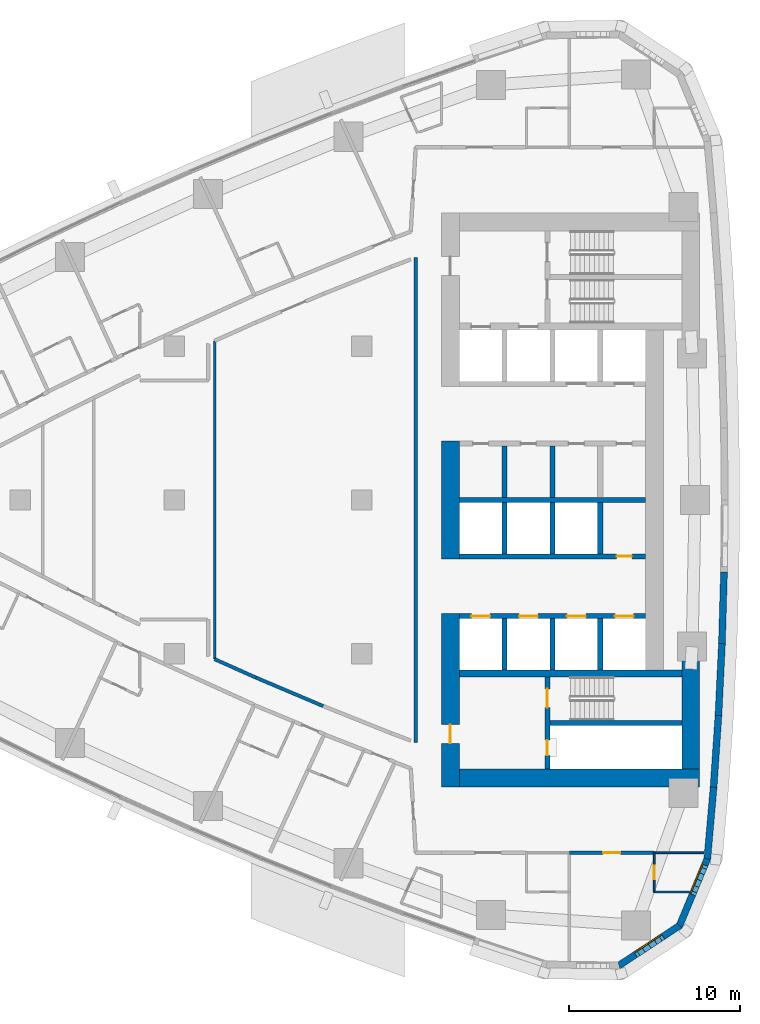
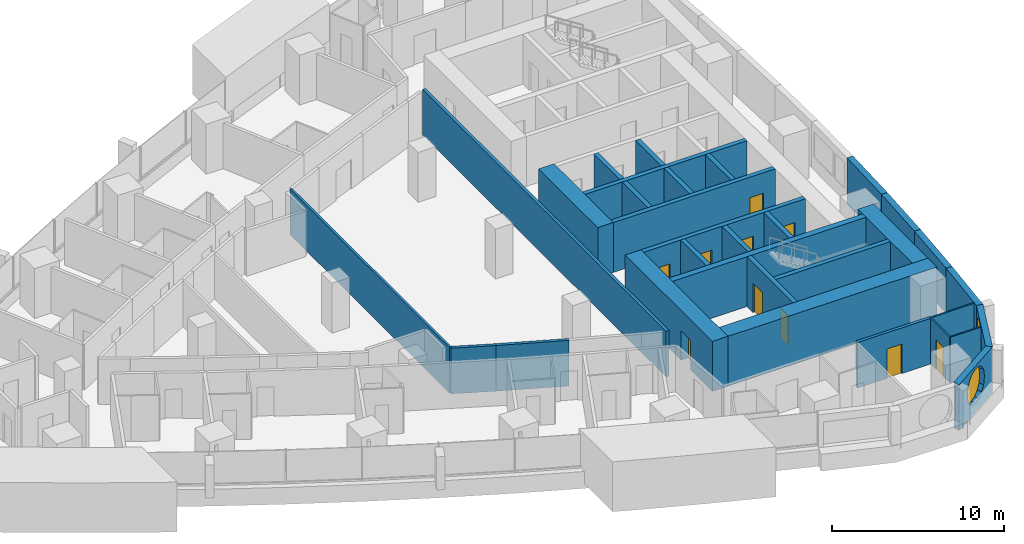
# One storey, part 10 of 17: 32 walls, 10 doors, 2 windows, 12 openings.
"""IFC4 building model written with IfcOpenShell, lengths in metres."""

from ifc_helpers import new_model, si_unit, direction, frame, frame_2d, origin, place, context, subcontext, project, spatial, polyline, rectangle, outline, extrude, material, layer, layer_set, type_object, element, fill, save


model = new_model("IFC4")

# Units and contexts
model_context = context("Model", 3, precision=1e-05, world=origin(), true_north=direction((0.0, 1.0)))
body_context = subcontext(model_context, "Body", "Model", "MODEL_VIEW")
ifc_project = project(units=[si_unit("LENGTHUNIT", "METRE"), si_unit("AREAUNIT", "SQUARE_METRE"), si_unit("VOLUMEUNIT", "CUBIC_METRE"), si_unit("PLANEANGLEUNIT", "RADIAN"), si_unit("MASSUNIT", "GRAM", prefix="KILO")], contexts=[model_context])

# Site, building, storey
site_placement = place(None, origin())
site = spatial("IfcSite", under=ifc_project, at=site_placement, CompositionType="ELEMENT")
building_placement = place(site_placement, origin())
building = spatial("IfcBuilding", under=site, at=building_placement, Name="Ostrand Prow Hotel Tower", CompositionType="ELEMENT")
storey_placement = place(building_placement, frame((0.0, 0.0, 113.300048828125)))
storey = spatial("IfcBuildingStorey", under=building, at=storey_placement, Name="L27", CompositionType="ELEMENT", Elevation=113.300048828125)

# Wall
ifc_material_1 = material(Name="Concrete C80/95", Category="concrete")
ifc_layer_1 = layer(ifc_material_1, 1.050048828125)
ifc_layer_set_1 = layer_set([ifc_layer_1], Name="Concrete C80/95")
wall_type_1 = type_object("IfcWallType", Name="Core wall 1050 C80/95", PredefinedType="SHEAR", material=ifc_layer_set_1)
wall_1_placement = place(storey_placement, frame((50.175048828125, -3.449951171875, 0.0), z_axis=(0.0, 0.0, 1.0), x_axis=(0.0, 1.0, 0.0)))
element("IfcWall", 1, at=wall_1_placement, inside=storey, type_object=wall_type_1, Name="Core wall CW-W-C", PredefinedType="SHEAR", context=body_context, shape_type="SweptSolid", body=[
    extrude(rectangle(XDim=6.89990234375, YDim=1.050048828125, at=frame_2d((3.449951171875, 0.0))), origin(), (0.0, 0.0, 1.0), 3.550048828125),
])

# Wall, opening, door
wall_2_placement = place(storey_placement, frame((50.175048828125, -16.800048828125, 0.0), z_axis=(0.0, 0.0, 1.0), x_axis=(0.0, 1.0, 0.0)))
wall_2 = element("IfcWall", 2, at=wall_2_placement, inside=storey, type_object=wall_type_1, Name="Core wall CW-W-S", PredefinedType="SHEAR", context=body_context, shape_type="SweptSolid", body=[
    extrude(rectangle(XDim=10.150146484375, YDim=1.050048828125, at=frame_2d((5.0751953125, 0.0))), origin(), (0.0, 0.0, 1.0), 3.550048828125),
])
opening_1_placement = place(wall_2_placement, frame((2.550048828125, 0.0, 0.0)))
opening_1 = element("IfcOpeningElement", 3, at=opening_1_placement, cuts=wall_2, Name="Opening FD1", PredefinedType="OPENING", context=body_context, shape_type="SweptSolid", body=[
    extrude(rectangle(XDim=1.10009765625, YDim=2.10009765625, at=frame_2d((0.550048828125, 1.050048828125))), frame((0.0, 0.534912109375, 0.0), z_axis=(0.0, -1.0, 0.0), x_axis=(1.0, 0.0, 0.0)), (0.0, 0.0, 1.0), 1.070068359375),
])
ifc_material_2 = material(Name="Steel fire door", Category="steel")
door_type_1 = type_object("IfcDoorType", Name="Fire door 1100 EI120", OperationType="SINGLE_SWING_RIGHT", PredefinedType="DOOR", material=ifc_material_2)
door_1_placement = place(opening_1_placement, origin())
door_1 = element("IfcDoor", 4, at=door_1_placement, inside=storey, type_object=door_type_1, Name="FIRE DOOR", OperationType="SINGLE_SWING_RIGHT", OverallHeight=2.10009765625, OverallWidth=1.10009765625, PredefinedType="DOOR", context=body_context, shape_type="SweptSolid", body=[
    extrude(rectangle(XDim=1.10009765625, YDim=2.10009765625, at=frame_2d((0.550048828125, 1.050048828125))), frame((0.0, 0.02490234375, 0.0), z_axis=(0.0, -1.0, 0.0), x_axis=(1.0, 0.0, 0.0)), (0.0, 0.0, 1.0), 0.050048828125),
])
fill(opening_1, door_1)

# Walls
wall_3_placement = place(storey_placement, frame((50.699951171875, -16.27490234375, 0.0), z_axis=(0.0, 0.0, 1.0), x_axis=(1.0, 0.0, 0.0)))
element("IfcWall", 5, at=wall_3_placement, inside=storey, type_object=wall_type_1, Name="Core wall CW-S", PredefinedType="SHEAR", context=body_context, shape_type="SweptSolid", body=[
    extrude(rectangle(XDim=14.070068359375, YDim=1.050048828125, at=frame_2d((7.03515625, 0.0))), origin(), (0.0, 0.0, 1.0), 3.550048828125),
])
wall_4_placement = place(storey_placement, frame((64.2451171875, -15.75, 0.0), z_axis=(0.0, 0.0, 1.0), x_axis=(0.0, 1.0, 0.0)))
element("IfcWall", 6, at=wall_4_placement, inside=storey, type_object=wall_type_1, Name="Core wall CW-E-S", PredefinedType="SHEAR", context=body_context, shape_type="SweptSolid", body=[
    extrude(rectangle(XDim=6.361328125, YDim=1.050048828125, at=frame_2d((3.1806640625, 0.0))), origin(), (0.0, 0.0, 1.0), 3.550048828125),
])
ifc_material_3 = material(Name="Concrete C80/95", Category="concrete")
ifc_layer_2 = layer(ifc_material_3, 0.300048828125)
ifc_layer_set_2 = layer_set([ifc_layer_2], Name="Concrete C80/95")
wall_type_2 = type_object("IfcWallType", Name="Core wall 300 C80/95", PredefinedType="SHEAR", material=ifc_layer_set_2)
wall_5_placement = place(storey_placement, frame((50.699951171875, 0.0, 0.0), z_axis=(0.0, 0.0, 1.0), x_axis=(1.0, 0.0, 0.0)))
element("IfcWall", 7, at=wall_5_placement, inside=storey, type_object=wall_type_2, Name="Core wall PW-C", PredefinedType="SHEAR", context=body_context, shape_type="SweptSolid", body=[
    extrude(rectangle(XDim=10.900146484375, YDim=0.300048828125, at=frame_2d((5.4501953125, 0.0))), origin(), (0.0, 0.0, 1.0), 3.550048828125),
])
for number, where, z_axis, x_axis, name in (
    (8, (53.35009765625, 0.14990234375, 0.0), (0.0, 0.0, 1.0), (0.0, 1.0, 0.0), "Core wall PW-R1-NB"),
    (9, (56.14990234375, 0.14990234375, 0.0), (0.0, 0.0, 1.0), (0.0, 1.0, 0.0), "Core wall PW-R2-NB"),
):
    element("IfcWall", number, at=place(storey_placement, frame(where, z_axis=z_axis, x_axis=x_axis)), inside=storey, type_object=wall_type_2, Name=name, PredefinedType="SHEAR", context=body_context, shape_type="SweptSolid", body=[
        extrude(rectangle(XDim=3.0, YDim=0.300048828125, at=frame_2d((1.5, 0.0))), origin(), (0.0, 0.0, 1.0), 3.550048828125),
    ])

# Wall, opening, door
wall_6_placement = place(storey_placement, frame((50.699951171875, -3.300048828125, 0.0), z_axis=(0.0, 0.0, 1.0), x_axis=(1.0, 0.0, 0.0)))
wall_6 = element("IfcWall", 10, at=wall_6_placement, inside=storey, type_object=wall_type_2, Name="Core wall PW-L1-S", PredefinedType="SHEAR", context=body_context, shape_type="SweptSolid", body=[
    extrude(rectangle(XDim=10.900146484375, YDim=0.300048828125, at=frame_2d((5.4501953125, 0.0))), origin(), (0.0, 0.0, 1.0), 3.550048828125),
])
opening_2_placement = place(wall_6_placement, frame((9.199951171875, 0.0, 0.0)))
opening_2 = element("IfcOpeningElement", 11, at=opening_2_placement, cuts=wall_6, Name="Opening FD2", PredefinedType="OPENING", context=body_context, shape_type="SweptSolid", body=[
    extrude(rectangle(XDim=0.89990234375, YDim=2.10009765625, at=frame_2d((0.449951171875, 1.050048828125))), frame((0.0, 0.159912109375, 0.0), z_axis=(0.0, -1.0, 0.0), x_axis=(1.0, 0.0, 0.0)), (0.0, 0.0, 1.0), 0.320068359375),
])
ifc_material_4 = material(Name="Steel fire door", Category="steel")
door_type_2 = type_object("IfcDoorType", Name="Fire door 900 EI120", OperationType="SINGLE_SWING_LEFT", PredefinedType="DOOR", material=ifc_material_4)
door_2_placement = place(opening_2_placement, origin())
door_2 = element("IfcDoor", 12, at=door_2_placement, inside=storey, type_object=door_type_2, Name="DOOR", OperationType="SINGLE_SWING_LEFT", OverallHeight=2.10009765625, OverallWidth=0.89990234375, PredefinedType="DOOR", context=body_context, shape_type="SweptSolid", body=[
    extrude(rectangle(XDim=0.89990234375, YDim=2.10009765625, at=frame_2d((0.449951171875, 1.050048828125))), frame((0.0, 0.02490234375, 0.0), z_axis=(0.0, -1.0, 0.0), x_axis=(1.0, 0.0, 0.0)), (0.0, 0.0, 1.0), 0.050048828125),
])
fill(opening_2, door_2)

# Wall, openings, doors
wall_7_placement = place(storey_placement, frame((50.699951171875, -6.800048828125, 0.0), z_axis=(0.0, 0.0, 1.0), x_axis=(1.0, 0.0, 0.0)))
wall_7 = element("IfcWall", 13, at=wall_7_placement, inside=storey, type_object=wall_type_2, Name="Core wall PW-L2-S", PredefinedType="SHEAR", context=body_context, shape_type="SweptSolid", body=[
    extrude(rectangle(XDim=10.900146484375, YDim=0.300048828125, at=frame_2d((5.4501953125, 0.0))), origin(), (0.0, 0.0, 1.0), 3.550048828125),
])
opening_3_placement = place(wall_7_placement, frame((0.699951171875, 0.0, 0.0)))
opening_3 = element("IfcOpeningElement", 14, at=opening_3_placement, cuts=wall_7, Name="Opening LD", PredefinedType="OPENING", context=body_context, shape_type="SweptSolid", body=[
    extrude(rectangle(XDim=1.10009765625, YDim=2.10009765625, at=frame_2d((0.550048828125, 1.050048828125))), frame((0.0, 0.159912109375, 0.0), z_axis=(0.0, -1.0, 0.0), x_axis=(1.0, 0.0, 0.0)), (0.0, 0.0, 1.0), 0.320068359375),
])
opening_4_placement = place(wall_7_placement, frame((3.5, 0.0, 0.0)))
opening_4 = element("IfcOpeningElement", 15, at=opening_4_placement, cuts=wall_7, Name="Opening LD", PredefinedType="OPENING", context=body_context, shape_type="SweptSolid", body=[
    extrude(rectangle(XDim=1.10009765625, YDim=2.10009765625, at=frame_2d((0.550048828125, 1.050048828125))), frame((0.0, 0.159912109375, 0.0), z_axis=(0.0, -1.0, 0.0), x_axis=(1.0, 0.0, 0.0)), (0.0, 0.0, 1.0), 0.320068359375),
])
opening_5_placement = place(wall_7_placement, frame((6.300048828125, 0.0, 0.0)))
opening_5 = element("IfcOpeningElement", 16, at=opening_5_placement, cuts=wall_7, Name="Opening LD", PredefinedType="OPENING", context=body_context, shape_type="SweptSolid", body=[
    extrude(rectangle(XDim=1.10009765625, YDim=2.10009765625, at=frame_2d((0.550048828125, 1.050048828125))), frame((0.0, 0.159912109375, 0.0), z_axis=(0.0, -1.0, 0.0), x_axis=(1.0, 0.0, 0.0)), (0.0, 0.0, 1.0), 0.320068359375),
])
opening_6_placement = place(wall_7_placement, frame((9.10009765625, 0.0, 0.0)))
opening_6 = element("IfcOpeningElement", 17, at=opening_6_placement, cuts=wall_7, Name="Opening LD", PredefinedType="OPENING", context=body_context, shape_type="SweptSolid", body=[
    extrude(rectangle(XDim=1.10009765625, YDim=2.10009765625, at=frame_2d((0.550048828125, 1.050048828125))), frame((0.0, 0.159912109375, 0.0), z_axis=(0.0, -1.0, 0.0), x_axis=(1.0, 0.0, 0.0)), (0.0, 0.0, 1.0), 0.320068359375),
])
ifc_material_5 = material(Name="Stainless steel door", Category="steel")
door_type_3 = type_object("IfcDoorType", Name="Lift landing door 1100", OperationType="DOUBLE_DOOR_SLIDING", PredefinedType="DOOR", material=ifc_material_5)
door_3_placement = place(opening_3_placement, origin())
door_3 = element("IfcDoor", 18, at=door_3_placement, inside=storey, type_object=door_type_3, Name="LIFT LANDING DOOR", OperationType="DOUBLE_DOOR_SLIDING", OverallHeight=2.10009765625, OverallWidth=1.10009765625, PredefinedType="DOOR", context=body_context, shape_type="SweptSolid", body=[
    extrude(rectangle(XDim=1.10009765625, YDim=2.10009765625, at=frame_2d((0.550048828125, 1.050048828125))), frame((0.0, 0.02490234375, 0.0), z_axis=(0.0, -1.0, 0.0), x_axis=(1.0, 0.0, 0.0)), (0.0, 0.0, 1.0), 0.050048828125),
])
fill(opening_3, door_3)
door_4_placement = place(opening_4_placement, origin())
door_4 = element("IfcDoor", 19, at=door_4_placement, inside=storey, type_object=door_type_3, Name="LIFT LANDING DOOR", OperationType="DOUBLE_DOOR_SLIDING", OverallHeight=2.10009765625, OverallWidth=1.10009765625, PredefinedType="DOOR", context=body_context, shape_type="SweptSolid", body=[
    extrude(rectangle(XDim=1.10009765625, YDim=2.10009765625, at=frame_2d((0.550048828125, 1.050048828125))), frame((0.0, 0.02490234375, 0.0), z_axis=(0.0, -1.0, 0.0), x_axis=(1.0, 0.0, 0.0)), (0.0, 0.0, 1.0), 0.050048828125),
])
fill(opening_4, door_4)
door_5_placement = place(opening_5_placement, origin())
door_5 = element("IfcDoor", 20, at=door_5_placement, inside=storey, type_object=door_type_3, Name="LIFT LANDING DOOR", OperationType="DOUBLE_DOOR_SLIDING", OverallHeight=2.10009765625, OverallWidth=1.10009765625, PredefinedType="DOOR", context=body_context, shape_type="SweptSolid", body=[
    extrude(rectangle(XDim=1.10009765625, YDim=2.10009765625, at=frame_2d((0.550048828125, 1.050048828125))), frame((0.0, 0.02490234375, 0.0), z_axis=(0.0, -1.0, 0.0), x_axis=(1.0, 0.0, 0.0)), (0.0, 0.0, 1.0), 0.050048828125),
])
fill(opening_5, door_5)
door_6_placement = place(opening_6_placement, origin())
door_6 = element("IfcDoor", 21, at=door_6_placement, inside=storey, type_object=door_type_3, Name="LIFT LANDING DOOR", OperationType="DOUBLE_DOOR_SLIDING", OverallHeight=2.10009765625, OverallWidth=1.10009765625, PredefinedType="DOOR", context=body_context, shape_type="SweptSolid", body=[
    extrude(rectangle(XDim=1.10009765625, YDim=2.10009765625, at=frame_2d((0.550048828125, 1.050048828125))), frame((0.0, 0.02490234375, 0.0), z_axis=(0.0, -1.0, 0.0), x_axis=(1.0, 0.0, 0.0)), (0.0, 0.0, 1.0), 0.050048828125),
])
fill(opening_6, door_6)

# Walls
for number, where, z_axis, x_axis, name in (
    (22, (53.35009765625, -3.14990234375, 0.0), (0.0, 0.0, 1.0), (0.0, 1.0, 0.0), "Core wall PW-R1-SB"),
    (23, (53.35009765625, -9.949951171875, 0.0), (0.0, 0.0, 1.0), (0.0, 1.0, 0.0), "Core wall PW-R1-SA"),
    (24, (56.14990234375, -3.14990234375, 0.0), (0.0, 0.0, 1.0), (0.0, 1.0, 0.0), "Core wall PW-R2-SB"),
    (25, (56.14990234375, -9.949951171875, 0.0), (0.0, 0.0, 1.0), (0.0, 1.0, 0.0), "Core wall PW-R2-SA"),
    (26, (58.949951171875, -3.14990234375, 0.0), (0.0, 0.0, 1.0), (0.0, 1.0, 0.0), "Core wall PW-R3-SB"),
    (27, (58.949951171875, -9.949951171875, 0.0), (0.0, 0.0, 1.0), (0.0, 1.0, 0.0), "Core wall PW-R3-SA"),
):
    element("IfcWall", number, at=place(storey_placement, frame(where, z_axis=z_axis, x_axis=x_axis)), inside=storey, type_object=wall_type_2, Name=name, PredefinedType="SHEAR", context=body_context, shape_type="SweptSolid", body=[
        extrude(rectangle(XDim=3.0, YDim=0.300048828125, at=frame_2d((1.5, 0.0))), origin(), (0.0, 0.0, 1.0), 3.550048828125),
    ])

# Wall, openings, doors
wall_8_placement = place(storey_placement, frame((55.85009765625, -15.75, 0.0), z_axis=(0.0, 0.0, 1.0), x_axis=(0.0, 1.0, 0.0)))
wall_8 = element("IfcWall", 28, at=wall_8_placement, inside=storey, type_object=wall_type_2, Name="Core wall PW-VS", PredefinedType="SHEAR", context=body_context, shape_type="SweptSolid", body=[
    extrude(rectangle(XDim=5.39990234375, YDim=0.300048828125, at=frame_2d((2.699951171875, 0.0))), origin(), (0.0, 0.0, 1.0), 3.550048828125),
])
opening_7_placement = place(wall_8_placement, frame((3.60009765625, 0.0, 0.0)))
opening_7 = element("IfcOpeningElement", 29, at=opening_7_placement, cuts=wall_8, Name="Opening FD1", PredefinedType="OPENING", context=body_context, shape_type="SweptSolid", body=[
    extrude(rectangle(XDim=1.10009765625, YDim=2.10009765625, at=frame_2d((0.550048828125, 1.050048828125))), frame((0.0, 0.159912109375, 0.0), z_axis=(0.0, -1.0, 0.0), x_axis=(1.0, 0.0, 0.0)), (0.0, 0.0, 1.0), 0.320068359375),
])
opening_8_placement = place(wall_8_placement, frame((0.800048828125, 0.0, 0.0)))
opening_8 = element("IfcOpeningElement", 30, at=opening_8_placement, cuts=wall_8, Name="Opening FD2", PredefinedType="OPENING", context=body_context, shape_type="SweptSolid", body=[
    extrude(rectangle(XDim=0.89990234375, YDim=2.10009765625, at=frame_2d((0.449951171875, 1.050048828125))), frame((0.0, 0.159912109375, 0.0), z_axis=(0.0, -1.0, 0.0), x_axis=(1.0, 0.0, 0.0)), (0.0, 0.0, 1.0), 0.320068359375),
])
door_7_placement = place(opening_7_placement, origin())
door_7 = element("IfcDoor", 31, at=door_7_placement, inside=storey, type_object=door_type_1, Name="FIRE DOOR", OperationType="SINGLE_SWING_RIGHT", OverallHeight=2.10009765625, OverallWidth=1.10009765625, PredefinedType="DOOR", context=body_context, shape_type="SweptSolid", body=[
    extrude(rectangle(XDim=1.10009765625, YDim=2.10009765625, at=frame_2d((0.550048828125, 1.050048828125))), frame((0.0, 0.02490234375, 0.0), z_axis=(0.0, -1.0, 0.0), x_axis=(1.0, 0.0, 0.0)), (0.0, 0.0, 1.0), 0.050048828125),
])
fill(opening_7, door_7)
door_8_placement = place(opening_8_placement, origin())
door_8 = element("IfcDoor", 32, at=door_8_placement, inside=storey, type_object=door_type_2, Name="FIRE DOOR", OperationType="SINGLE_SWING_LEFT", OverallHeight=2.10009765625, OverallWidth=0.89990234375, PredefinedType="DOOR", context=body_context, shape_type="SweptSolid", body=[
    extrude(rectangle(XDim=0.89990234375, YDim=2.10009765625, at=frame_2d((0.449951171875, 1.050048828125))), frame((0.0, 0.02490234375, 0.0), z_axis=(0.0, -1.0, 0.0), x_axis=(1.0, 0.0, 0.0)), (0.0, 0.0, 1.0), 0.050048828125),
])
fill(opening_8, door_8)

# Walls
wall_9_placement = place(storey_placement, frame((56.0, -13.050048828125, 0.0), z_axis=(0.0, 0.0, 1.0), x_axis=(1.0, 0.0, 0.0)))
element("IfcWall", 33, at=wall_9_placement, inside=storey, type_object=wall_type_2, Name="Core wall PW-ST2R", PredefinedType="SHEAR", context=body_context, shape_type="SweptSolid", body=[
    extrude(rectangle(XDim=7.719970703125, YDim=0.300048828125, at=frame_2d((3.85986328125, 0.0))), origin(), (0.0, 0.0, 1.0), 3.550048828125),
])
ifc_material_6 = material(Name="Concrete C80/95", Category="concrete")
ifc_layer_3 = layer(ifc_material_6, 0.39990234375)
ifc_layer_set_3 = layer_set([ifc_layer_3], Name="Concrete C80/95")
wall_type_3 = type_object("IfcWallType", Name="Core wall 400 C80/95", PredefinedType="SHEAR", material=ifc_layer_set_3)
wall_10_placement = place(storey_placement, frame((50.699951171875, -10.14990234375, 0.0), z_axis=(0.0, 0.0, 1.0), x_axis=(1.0, 0.0, 0.0)))
element("IfcWall", 34, at=wall_10_placement, inside=storey, type_object=wall_type_3, Name="Core wall PW-BS", PredefinedType="SHEAR", context=body_context, shape_type="SweptSolid", body=[
    extrude(rectangle(XDim=13.02001953125, YDim=0.39990234375, at=frame_2d((6.510009765625, 0.0))), origin(), (0.0, 0.0, 1.0), 3.550048828125),
])
ifc_material_7 = material(Name="Plasterboard partition")
ifc_layer_4 = layer(ifc_material_7, 0.10009765625)
ifc_layer_set_4 = layer_set([ifc_layer_4], Name="Plasterboard partition")
wall_type_4 = type_object("IfcWallType", Name="Partition 100 bathroom wall", PredefinedType="PARTITIONING", material=ifc_layer_set_4)
wall_11_placement = place(storey_placement, frame((64.160400390625, -22.949951171875, 0.0), z_axis=(0.0, 0.0, 1.0), x_axis=(-1.0, 0.0, 0.0)))
element("IfcWall", 35, at=wall_11_placement, inside=storey, type_object=wall_type_4, Name="BATHROOM WALL", PredefinedType="PARTITIONING", context=body_context, shape_type="SweptSolid", body=[
    extrude(rectangle(XDim=2.04931640625, YDim=0.10009765625, at=frame_2d((1.024658203125, 0.0))), origin(), (0.0, 0.0, 1.0), 3.25),
])

# Wall, opening, door
wall_12_placement = place(storey_placement, frame((62.111083984375, -22.949951171875, 0.0), z_axis=(0.0, 0.0, 1.0), x_axis=(0.0, 1.0, 0.0)))
wall_12 = element("IfcWall", 36, at=wall_12_placement, inside=storey, type_object=wall_type_4, Name="BATHROOM WALL", PredefinedType="PARTITIONING", context=body_context, shape_type="SweptSolid", body=[
    extrude(rectangle(XDim=2.300048828125, YDim=0.10009765625, at=frame_2d((1.14990234375, 0.0))), origin(), (0.0, 0.0, 1.0), 3.25),
])
opening_9_placement = place(wall_12_placement, frame((0.75, 0.0, 0.0)))
opening_9 = element("IfcOpeningElement", 37, at=opening_9_placement, cuts=wall_12, Name="Opening D2", PredefinedType="OPENING", context=body_context, shape_type="SweptSolid", body=[
    extrude(rectangle(XDim=0.800048828125, YDim=2.10009765625, at=frame_2d((0.39990234375, 1.050048828125))), frame((0.0, 0.06005859375, 0.0), z_axis=(0.0, -1.0, 0.0), x_axis=(1.0, 0.0, 0.0)), (0.0, 0.0, 1.0), 0.1201171875),
])
ifc_material_8 = material(Name="Timber door leaf", Category="wood")
door_type_4 = type_object("IfcDoorType", Name="Bathroom door 800", OperationType="SINGLE_SWING_LEFT", PredefinedType="DOOR", material=ifc_material_8)
door_9_placement = place(opening_9_placement, origin())
door_9 = element("IfcDoor", 38, at=door_9_placement, inside=storey, type_object=door_type_4, Name="DOOR", OperationType="SINGLE_SWING_LEFT", OverallHeight=2.10009765625, OverallWidth=0.800048828125, PredefinedType="DOOR", context=body_context, shape_type="SweptSolid", body=[
    extrude(rectangle(XDim=0.800048828125, YDim=2.10009765625, at=frame_2d((0.39990234375, 1.050048828125))), frame((0.0, 0.02490234375, 0.0), z_axis=(0.0, -1.0, 0.0), x_axis=(1.0, 0.0, 0.0)), (0.0, 0.0, 1.0), 0.050048828125),
])
fill(opening_9, door_9)

# Walls
wall_13_placement = place(storey_placement, frame((62.111083984375, -20.655029296875, 0.0), z_axis=(0.0, 0.0, 1.0), x_axis=(1.0, 0.0, 0.0)))
element("IfcWall", 39, at=wall_13_placement, inside=storey, type_object=wall_type_4, Name="BATHROOM WALL", PredefinedType="PARTITIONING", context=body_context, shape_type="SweptSolid", body=[
    extrude(rectangle(XDim=2.90576171875, YDim=0.10009765625, at=frame_2d((1.452880859375, 0.0))), origin(), (0.0, 0.0, 1.0), 3.25),
])
ifc_material_9 = material(Name="Plasterboard partition")
ifc_layer_5 = layer(ifc_material_9, 0.14990234375)
ifc_layer_set_5 = layer_set([ifc_layer_5], Name="Plasterboard partition")
wall_type_5 = type_object("IfcWallType", Name="Partition 150 room partition", PredefinedType="PARTITIONING", material=ifc_layer_set_5)
wall_14_placement = place(storey_placement, frame((36.373779296875, -9.31689453125, 0.0), z_axis=(0.0, 0.0, 1.0), x_axis=(0.0, 1.0, 0.0)))
element("IfcWall", 40, at=wall_14_placement, inside=storey, type_object=wall_type_5, Name="ROOM PARTITION", PredefinedType="PARTITIONING", context=body_context, shape_type="SweptSolid", body=[
    extrude(rectangle(XDim=18.6337890625, YDim=0.14990234375, at=frame_2d((9.31689453125, 0.0))), origin(), (0.0, 0.0, 1.0), 3.25),
])
ifc_material_10 = material(Name="Plasterboard partition")
ifc_layer_6 = layer(ifc_material_10, 0.199951171875)
ifc_layer_set_6 = layer_set([ifc_layer_6], Name="Plasterboard partition")
wall_type_6 = type_object("IfcWallType", Name="Partition 200 corridor wall", PredefinedType="PARTITIONING", material=ifc_layer_set_6)
wall_15_placement = place(storey_placement, frame((42.727783203125, -12.0615234375, 0.0), z_axis=(0.0, 0.0, 1.0), x_axis=(-0.921037415532, 0.389474105929, 0.0)))
element("IfcWall", 41, at=wall_15_placement, inside=storey, type_object=wall_type_6, Name="CORRIDOR WALL", PredefinedType="PARTITIONING", context=body_context, shape_type="SweptSolid", body=[
    extrude(rectangle(XDim=4.273193359375, YDim=0.199951171875, at=frame_2d((2.13671875, 0.0))), origin(), (0.0, 0.0, 1.0), 3.25),
])
wall_16_placement = place(storey_placement, frame((38.7919921875, -10.397216796875, 0.0), z_axis=(0.0, 0.0, 1.0), x_axis=(-0.913030623494, 0.407891015544, 0.0)))
element("IfcWall", 42, at=wall_16_placement, inside=storey, type_object=wall_type_6, Name="CORRIDOR WALL", PredefinedType="PARTITIONING", context=body_context, shape_type="SweptSolid", body=[
    extrude(rectangle(XDim=2.6484375, YDim=0.199951171875, at=frame_2d((1.32421875, 0.0))), origin(), (0.0, 0.0, 1.0), 3.25),
])

# Wall, opening, door
wall_17_placement = place(storey_placement, frame((57.135498046875, -20.655029296875, 0.0), z_axis=(0.0, 0.0, 1.0), x_axis=(1.0, 0.0, 0.0)))
wall_17 = element("IfcWall", 43, at=wall_17_placement, inside=storey, type_object=wall_type_6, Name="CORRIDOR WALL", PredefinedType="PARTITIONING", context=body_context, shape_type="SweptSolid", body=[
    extrude(rectangle(XDim=4.970703125, YDim=0.199951171875, at=frame_2d((2.4853515625, 0.0))), origin(), (0.0, 0.0, 1.0), 3.25),
])
opening_10_placement = place(wall_17_placement, frame((1.9853515625, 0.0, 0.0)))
opening_10 = element("IfcOpeningElement", 44, at=opening_10_placement, cuts=wall_17, Name="Opening D1", PredefinedType="OPENING", context=body_context, shape_type="SweptSolid", body=[
    extrude(rectangle(XDim=1.0, YDim=2.10009765625, at=frame_2d((0.5, 1.050048828125))), frame((0.0, 0.10986328125, 0.0), z_axis=(0.0, -1.0, 0.0), x_axis=(1.0, 0.0, 0.0)), (0.0, 0.0, 1.0), 0.219970703125),
])
ifc_material_11 = material(Name="Timber door leaf", Category="wood")
door_type_5 = type_object("IfcDoorType", Name="Guest room door 1000", OperationType="SINGLE_SWING_LEFT", PredefinedType="DOOR", material=ifc_material_11)
door_10_placement = place(opening_10_placement, origin())
door_10 = element("IfcDoor", 45, at=door_10_placement, inside=storey, type_object=door_type_5, Name="DOOR", OperationType="SINGLE_SWING_LEFT", OverallHeight=2.10009765625, OverallWidth=1.0, PredefinedType="DOOR", context=body_context, shape_type="SweptSolid", body=[
    extrude(rectangle(XDim=1.0, YDim=2.10009765625, at=frame_2d((0.5, 1.050048828125))), frame((0.0, 0.02490234375, 0.0), z_axis=(0.0, -1.0, 0.0), x_axis=(1.0, 0.0, 0.0)), (0.0, 0.0, 1.0), 0.050048828125),
])
fill(opening_10, door_10)

# Wall
wall_18_placement = place(storey_placement, frame((48.14990234375, 14.188720703125, 0.0), z_axis=(0.0, 0.0, 1.0), x_axis=(0.0, -1.0, 0.0)))
element("IfcWall", 46, at=wall_18_placement, inside=storey, type_object=wall_type_6, Name="CORRIDOR WALL", PredefinedType="PARTITIONING", context=body_context, shape_type="SweptSolid", body=[
    extrude(rectangle(XDim=28.37744140625, YDim=0.199951171875, at=frame_2d((14.188720703125, 0.0))), origin(), (0.0, 0.0, 1.0), 3.25),
])

# Wall, opening, window
ifc_material_12 = material(Name="Precast concrete C40/50", Category="concrete")
ifc_layer_7 = layer(ifc_material_12, 0.39990234375)
ifc_layer_set_7 = layer_set([ifc_layer_7], Name="Precast concrete C40/50")
wall_type_7 = type_object("IfcWallType", Name="Stone-faced precast wall 400 mm", PredefinedType="NOTDEFINED", material=ifc_layer_set_7)
wall_19_placement = place(storey_placement, frame((60.048583984375, -27.245849609375, 0.0), z_axis=(0.0, 0.0, 1.0), x_axis=(0.835340523653, 0.549732852887, 0.0)))
wall_19 = element("IfcWall", 47, at=wall_19_placement, inside=storey, type_object=wall_type_7, Name="Stone-faced wall back 3", PredefinedType="NOTDEFINED", context=body_context, shape_type="SweptSolid", body=[
    extrude(outline(polyline([(-0.061279296875, -0.199951171875), (4.30029296875, -0.199951171875), (4.177734375, 0.199951171875), (0.061279296875, 0.199951171875), (-0.061279296875, -0.199951171875)])), origin(), (0.0, 0.0, 1.0), 3.25),
])
opening_11_placement = place(wall_19_placement, frame((1.01953125, 0.0, 0.60009765625)))
opening_11 = element("IfcOpeningElement", 48, at=opening_11_placement, cuts=wall_19, Name="Opening WP1", PredefinedType="OPENING", context=body_context, shape_type="SweptSolid", body=[
    extrude(outline(polyline([(0.0, 1.35009765625), (0.083740234375, 1.77099609375), (0.322265625, 2.127685546875), (0.678955078125, 2.3662109375), (1.10009765625, 2.449951171875), (1.52099609375, 2.3662109375), (1.877685546875, 2.127685546875), (2.1162109375, 1.77099609375), (2.199951171875, 1.35009765625), (2.199951171875, 1.10009765625), (2.1162109375, 0.678955078125), (1.877685546875, 0.322265625), (1.52099609375, 0.083740234375), (1.10009765625, 0.0), (0.678955078125, 0.083740234375), (0.322265625, 0.322265625), (0.083740234375, 0.678955078125), (0.0, 1.099853515625), (0.0, 1.35009765625)])), frame((0.0, 0.2099609375, 0.0), z_axis=(0.0, -1.0, 0.0), x_axis=(1.0, 0.0, 0.0)), (0.0, 0.0, 1.0), 0.419921875),
])
ifc_material_13 = material(Name="Insulated glass in bronze frame", Category="glass")
window_type_1 = type_object("IfcWindowType", Name="Round-ended prow window 2200x2450", PartitioningType="SINGLE_PANEL", PredefinedType="WINDOW", material=ifc_material_13)
window_1_placement = place(opening_11_placement, origin())
window_1 = element("IfcWindow", 49, at=window_1_placement, inside=storey, type_object=window_type_1, Name="Window back 3.1", OverallHeight=2.449951171875, OverallWidth=2.199951171875, PartitioningType="SINGLE_PANEL", PredefinedType="WINDOW", context=body_context, shape_type="SweptSolid", body=[
    extrude(outline(polyline([(0.0, 1.35009765625), (0.083740234375, 1.77099609375), (0.322265625, 2.127685546875), (0.678955078125, 2.3662109375), (1.10009765625, 2.449951171875), (1.52099609375, 2.3662109375), (1.877685546875, 2.127685546875), (2.1162109375, 1.77099609375), (2.199951171875, 1.35009765625), (2.199951171875, 1.10009765625), (2.1162109375, 0.678955078125), (1.877685546875, 0.322265625), (1.52099609375, 0.083740234375), (1.10009765625, 0.0), (0.678955078125, 0.083740234375), (0.322265625, 0.322265625), (0.083740234375, 0.678955078125), (0.0, 1.099853515625), (0.0, 1.35009765625)])), frame((0.0, 0.169921875, 0.0), z_axis=(0.0, -1.0, 0.0), x_axis=(1.0, 0.0, 0.0)), (0.0, 0.0, 1.0), 0.06005859375),
])
fill(opening_11, window_1)

wall_20_placement = place(storey_placement, frame((63.589599609375, -24.91552734375, 0.0), z_axis=(0.0, 0.0, 1.0), x_axis=(0.383997751971, 0.923334027577, 0.0)))
wall_20 = element("IfcWall", 50, at=wall_20_placement, inside=storey, type_object=wall_type_7, Name="Stone-faced wall back 4", PredefinedType="NOTDEFINED", context=body_context, shape_type="SweptSolid", body=[
    extrude(outline(polyline([(-0.061279296875, -0.199951171875), (4.269775390625, -0.199951171875), (4.207763671875, 0.199951171875), (0.061279296875, 0.199951171875), (-0.061279296875, -0.199951171875)])), origin(), (0.0, 0.0, 1.0), 3.25),
])
opening_12_placement = place(wall_20_placement, frame((1.852294921875, 0.0, 0.60009765625)))
opening_12 = element("IfcOpeningElement", 51, at=opening_12_placement, cuts=wall_20, Name="Opening WP1-21", PredefinedType="OPENING", context=body_context, shape_type="SweptSolid", body=[
    extrude(outline(polyline([(0.0, 1.39990234375), (0.079833984375, 1.8017578125), (0.3076171875, 2.142333984375), (0.648193359375, 2.3701171875), (1.050048828125, 2.449951171875), (1.451904296875, 2.3701171875), (1.79248046875, 2.142333984375), (2.020263671875, 1.8017578125), (2.10009765625, 1.39990234375), (2.10009765625, 1.050048828125), (2.020263671875, 0.648193359375), (1.79248046875, 0.3076171875), (1.451904296875, 0.079833984375), (1.050048828125, 0.0), (0.648193359375, 0.079833984375), (0.3076171875, 0.3076171875), (0.079833984375, 0.648193359375), (0.0, 1.050048828125), (0.0, 1.39990234375)])), frame((0.0, 0.2099609375, 0.0), z_axis=(0.0, -1.0, 0.0), x_axis=(1.0, 0.0, 0.0)), (0.0, 0.0, 1.0), 0.419921875),
])
ifc_material_14 = material(Name="Insulated glass in bronze frame", Category="glass")
window_type_2 = type_object("IfcWindowType", Name="Round-ended prow window 2100x2450", PartitioningType="SINGLE_PANEL", PredefinedType="WINDOW", material=ifc_material_14)
window_2_placement = place(opening_12_placement, origin())
window_2 = element("IfcWindow", 52, at=window_2_placement, inside=storey, type_object=window_type_2, Name="Window back 4.1", OverallHeight=2.449951171875, OverallWidth=2.10009765625, PartitioningType="SINGLE_PANEL", PredefinedType="WINDOW", context=body_context, shape_type="SweptSolid", body=[
    extrude(outline(polyline([(0.0, 1.39990234375), (0.079833984375, 1.8017578125), (0.3076171875, 2.142333984375), (0.648193359375, 2.3701171875), (1.050048828125, 2.449951171875), (1.451904296875, 2.3701171875), (1.79248046875, 2.142333984375), (2.020263671875, 1.8017578125), (2.10009765625, 1.39990234375), (2.10009765625, 1.050048828125), (2.020263671875, 0.648193359375), (1.79248046875, 0.3076171875), (1.451904296875, 0.079833984375), (1.050048828125, 0.0), (0.648193359375, 0.079833984375), (0.3076171875, 0.3076171875), (0.079833984375, 0.648193359375), (0.0, 1.050048828125), (0.0, 1.39990234375)])), frame((0.0, 0.169921875, 0.0), z_axis=(0.0, -1.0, 0.0), x_axis=(1.0, 0.0, 0.0)), (0.0, 0.0, 1.0), 0.06005859375),
])
fill(opening_12, window_2)

# Walls
wall_21_placement = place(storey_placement, frame((65.21728515625, -21.001708984375, 0.0), z_axis=(0.0, 0.0, 1.0), x_axis=(0.086992730434, 0.996208946382, 0.0)))
element("IfcWall", 53, at=wall_21_placement, inside=storey, type_object=wall_type_7, Name="Stone-faced wall back 5", PredefinedType="NOTDEFINED", context=body_context, shape_type="SweptSolid", body=[
    extrude(outline(polyline([(-0.031005859375, -0.199951171875), (4.208740234375, -0.199951171875), (4.204833984375, 0.199951171875), (0.031005859375, 0.199951171875), (-0.031005859375, -0.199951171875)])), origin(), (0.0, 0.0, 1.0), 3.25),
])
wall_22_placement = place(storey_placement, frame((65.583251953125, -16.810791015625, 0.0), z_axis=(0.0, 0.0, 1.0), x_axis=(0.067724559895, 0.997704056315, 0.0)))
element("IfcWall", 54, at=wall_22_placement, inside=storey, type_object=wall_type_7, Name="Stone-faced wall back 6", PredefinedType="NOTDEFINED", context=body_context, shape_type="SweptSolid", body=[
    extrude(outline(polyline([(-0.001953125, -0.199951171875), (4.208984375, -0.199951171875), (4.205078125, 0.199951171875), (0.001953125, 0.199951171875), (-0.001953125, -0.199951171875)])), origin(), (0.0, 0.0, 1.0), 3.25),
])
for number, where, z_axis, x_axis, name in (
    (55, (65.8681640625, -12.613525390625, 0.0), (0.0, 0.0, 1.0), (0.048342691508, 0.998830808585, 0.0), "Stone-faced wall back 7"),
    (56, (66.071533203125, -8.41162109375, 0.0), (0.0, 0.0, 1.0), (0.02901703777, 0.999578917104, 0.0), "Stone-faced wall back 8"),
):
    element("IfcWall", number, at=place(storey_placement, frame(where, z_axis=z_axis, x_axis=x_axis)), inside=storey, type_object=wall_type_7, Name=name, PredefinedType="NOTDEFINED", context=body_context, shape_type="SweptSolid", body=[
        extrude(outline(polyline([(-0.001953125, -0.199951171875), (4.208740234375, -0.199951171875), (4.204833984375, 0.199951171875), (0.001953125, 0.199951171875), (-0.001953125, -0.199951171875)])), origin(), (0.0, 0.0, 1.0), 3.25),
    ])

save(model, "model.ifc")
